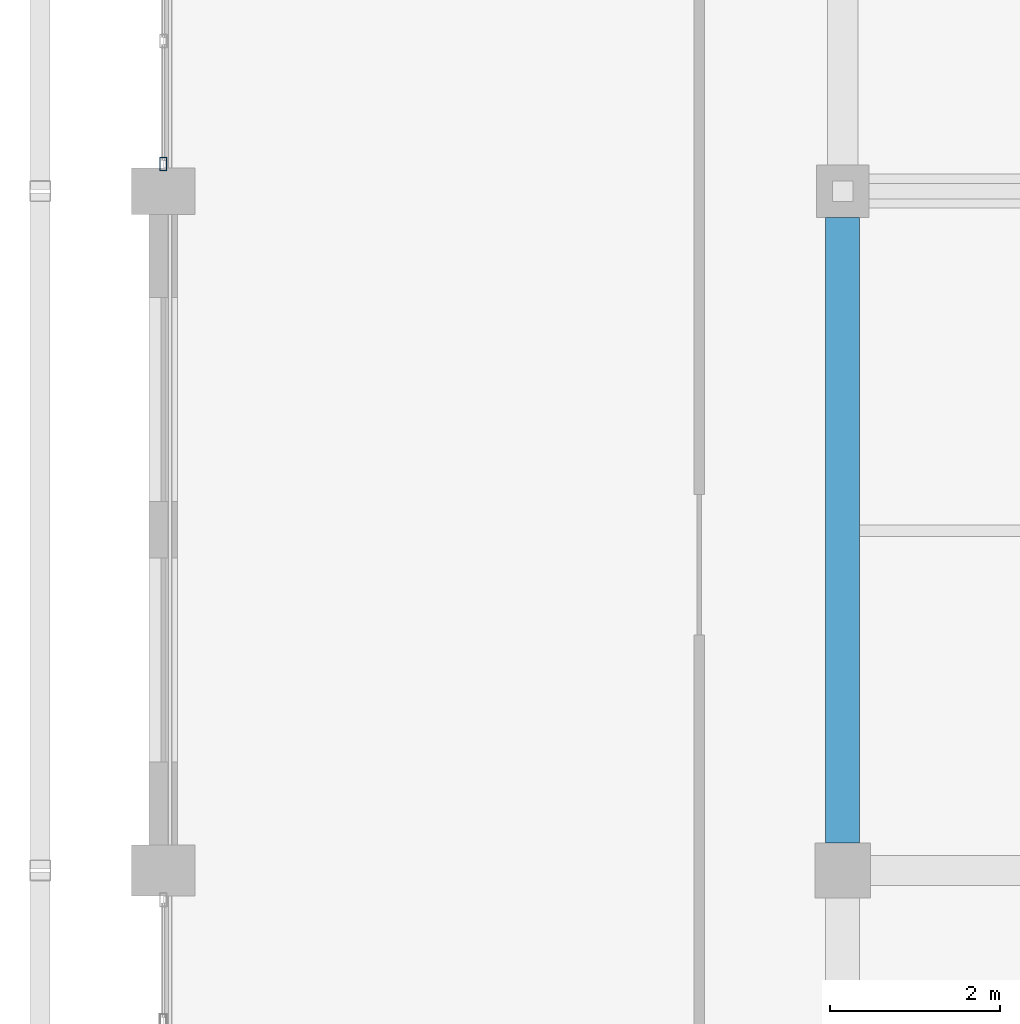
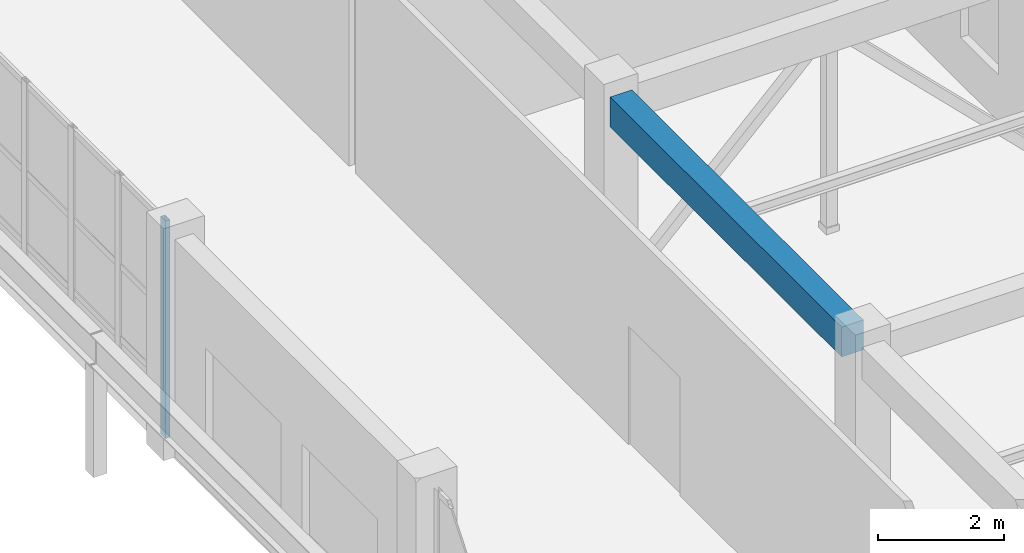
# One storey, part 56 of 160: 1 beam, 1 member, 1 element without a shape of its own.
"""IFC4 building model written with IfcOpenShell, lengths in metres."""

from ifc_helpers import new_model, si_unit, direction, frame, origin, origin_2d, place, context, subcontext, project, spatial, rectangle, hollow_rectangle, extrude, material, material_profile, profile_set, type_object, element, aggregate, save


model = new_model("IFC4")

# Units and contexts
model_context = context("Model", 3, precision=1e-05, world=origin(), true_north=direction((0.0, 1.0)))
body_context = subcontext(model_context, "Body", "Model", "MODEL_VIEW")
ifc_project = project(units=[si_unit("LENGTHUNIT", "METRE"), si_unit("AREAUNIT", "SQUARE_METRE"), si_unit("VOLUMEUNIT", "CUBIC_METRE"), si_unit("PLANEANGLEUNIT", "RADIAN"), si_unit("MASSUNIT", "GRAM", prefix="KILO")], contexts=[model_context])

# Site, building, storey
site_placement = place(None, origin())
site = spatial("IfcSite", under=ifc_project, at=site_placement, CompositionType="ELEMENT")
building_placement = place(site_placement, origin())
building = spatial("IfcBuilding", under=site, at=building_placement, Name="Kharva Crest Polytechnic", CompositionType="ELEMENT")
storey_placement = place(building_placement, frame((0.0, 0.0, 4.5)))
storey = spatial("IfcBuildingStorey", under=building, at=storey_placement, Name="L01", CompositionType="ELEMENT", Elevation=4.5)

# Beam
ifc_material_1 = material(Name="Concrete C35/45", Category="concrete")
ifc_material_profile_1 = material_profile(ifc_material_1, rectangle(XDim=0.39990234375, YDim=0.580078125, at=origin_2d()), Name="RECT 400 X 580")
ifc_profile_set_1 = profile_set([ifc_material_profile_1], Name="Concrete C35/45")
beam_type = type_object("IfcBeamType", Name="BM-RC-400X580", PredefinedType="BEAM", material=ifc_profile_set_1)
beam_placement = place(storey_placement, frame((40.0, 55.125, 3.929931640625), z_axis=(0.0, 1.0, 0.0), x_axis=(-1.0, 0.0, 0.0)))
element("IfcBeam", 1, at=beam_placement, inside=storey, type_object=beam_type, Name="L01 Girder 6/H-J", PredefinedType="BEAM", context=body_context, shape_type="SweptSolid", body=[
    extrude(rectangle(XDim=0.39990234375, YDim=0.580078125, at=origin_2d()), origin(), (0.0, 0.0, 1.0), 7.364990234375),
])

# Curtain wall, member
ifc_material_2 = material(Name="Tempered insulated glass", Category="glass")
curtain_wall_type = type_object("IfcCurtainWallType", Name="CW-SYS-COURT", PredefinedType="USERDEFINED", material=ifc_material_2)
curtain_wall_placement = place(storey_placement, origin())
curtain_wall = element("IfcCurtainWall", 2, at=curtain_wall_placement, inside=storey, type_object=curtain_wall_type, Name="L01 Glazed Curtain Wall CW-054", ObjectType="CURTAIN WALL", PredefinedType="USERDEFINED")
ifc_material_3 = material(Name="Steel S355", Category="steel")
ifc_material_profile_2 = material_profile(ifc_material_3, hollow_rectangle(XDim=0.080078125, YDim=0.159912109375, WallThickness=0.0048828125, at=origin_2d()), Name="RHS 160X80X5.0")
ifc_profile_set_2 = profile_set([ifc_material_profile_2], Name="Steel S355")
member_type = type_object("IfcMemberType", Name="CWM-RHS160X80", PredefinedType="MULLION", material=ifc_profile_set_2)
member_placement = place(storey_placement, frame((32.0, 63.1201171875, 0.0), z_axis=(0.0, 0.0, 1.0), x_axis=(1.0, 0.0, 0.0)))
member = element("IfcMember", 3, at=member_placement, type_object=member_type, Name="CW-054 mullion 6", PredefinedType="MULLION", context=body_context, shape_type="SweptSolid", body=[
    extrude(hollow_rectangle(XDim=0.080078125, YDim=0.159912109375, WallThickness=0.0048828125, at=origin_2d()), origin(), (0.0, 0.0, 1.0), 4.219970703125),
])
aggregate(curtain_wall, [member])

save(model, "model.ifc")
